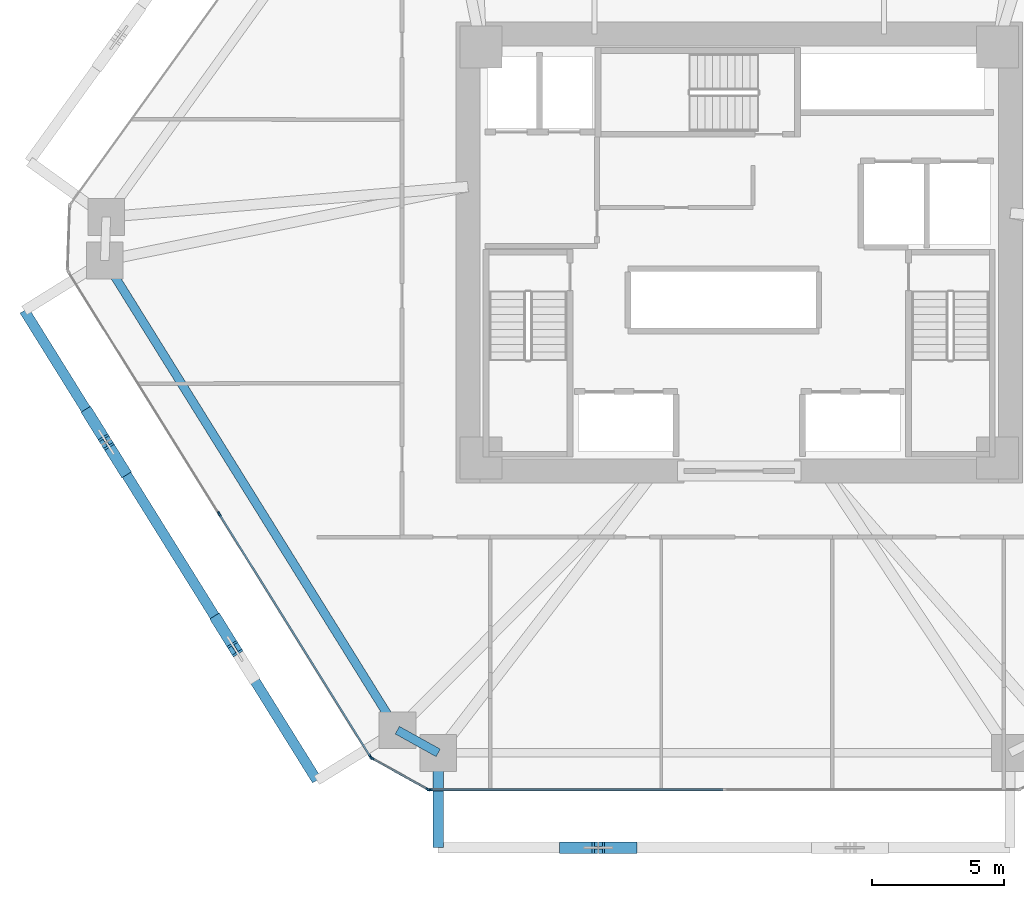
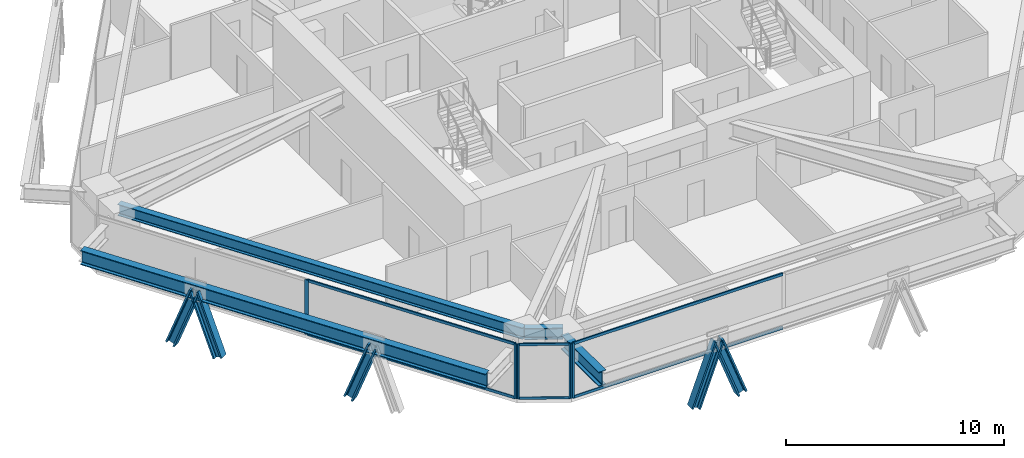
# One storey, part 2 of 17: 16 members, 4 beams, 3 elements without a shape of their own.
"""IFC4 building model written with IfcOpenShell, lengths in metres."""

from ifc_helpers import new_model, si_unit, direction, frame, origin, origin_2d, place, context, subcontext, project, spatial, rectangle, i_section, extrude, source, transform, mapped, material, layer, layer_set, material_profile, profile_set, type_object, type_shapes, element, aggregate, save


model = new_model("IFC4")

# Units and contexts
model_context = context("Model", 3, precision=1e-05, world=origin(), true_north=direction((0.0, 1.0)))
body_context = subcontext(model_context, "Body", "Model", "MODEL_VIEW")
ifc_project = project(units=[si_unit("LENGTHUNIT", "METRE"), si_unit("AREAUNIT", "SQUARE_METRE"), si_unit("VOLUMEUNIT", "CUBIC_METRE"), si_unit("PLANEANGLEUNIT", "RADIAN"), si_unit("MASSUNIT", "GRAM", prefix="KILO")], contexts=[model_context])

# Site, building, storey
site_placement = place(None, origin())
site = spatial("IfcSite", under=ifc_project, at=site_placement, CompositionType="ELEMENT")
building_placement = place(site_placement, origin())
building = spatial("IfcBuilding", under=site, at=building_placement, Name="Durnholm Broadcast Tower", CompositionType="ELEMENT")
storey_placement = place(building_placement, frame((0.0, 0.0, 45.60009765625)))
storey = spatial("IfcBuildingStorey", under=building, at=storey_placement, Name="L10", CompositionType="ELEMENT", Elevation=45.60009765625)

# Beams
ifc_material_1 = material(Name="Steel ASTM A992 Grade 50", Category="steel")
ifc_material_profile_1 = material_profile(ifc_material_1, i_section(OverallWidth=0.3291015625, OverallDepth=0.635009765625, WebThickness=0.017822265625, FlangeThickness=0.031005859375, FilletRadius=0.02783203125, at=origin_2d()), Name="W24X162")
ifc_profile_set_1 = profile_set([ifc_material_profile_1], Name="Steel ASTM A992 Grade 50")
beam_type_1 = type_object("IfcBeamType", Name="STL-SP-W24X162", PredefinedType="SPANDREL", material=ifc_profile_set_1)
shared_shape_1 = source(origin(), body_context, "Body", "SweptSolid", [
    extrude(i_section(OverallWidth=0.3291015625, OverallDepth=0.635009765625, WebThickness=0.017822265625, FlangeThickness=0.031005859375, FilletRadius=0.02783203125, at=origin_2d()), origin(), (0.0, 0.0, 1.0), 21.014404296875),
])
beam_1_placement = place(storey_placement, frame((-12.982666015625, -18.138427734375, 2.727294921875), z_axis=(-0.528595731543, 0.848873696491, 0.0), x_axis=(-0.848873696491, -0.528595731543, 0.0)))
element("IfcBeam", 1, at=beam_1_placement, inside=storey, type_object=beam_type_1, Name="L10 perimeter spandrel girder 01", PredefinedType="SPANDREL", context=body_context, shape_type="MappedRepresentation", body=[
    mapped(shared_shape_1, transform((0.0, 0.0, 0.0), x_axis=(1.0, 0.0, 0.0), y_axis=(0.0, 1.0, 0.0), z_axis=(0.0, 0.0, 1.0), scale=1.0)),
])
shared_shape_2 = source(origin(), body_context, "Body", "SweptSolid", [
    extrude(i_section(OverallWidth=0.3291015625, OverallDepth=0.635009765625, WebThickness=0.017822265625, FlangeThickness=0.031005859375, FilletRadius=0.02783203125, at=origin_2d()), origin(), (0.0, 0.0, 1.0), 1.774658203125),
])
type_shapes(beam_type_1, [shared_shape_1, shared_shape_2])
beam_2_placement = place(storey_placement, frame((-11.43115234375, -19.0, 2.727294921875), z_axis=(-0.874248107979, 0.485479397806, 0.0), x_axis=(-0.485479397806, -0.874248107979, 0.0)))
element("IfcBeam", 2, at=beam_2_placement, inside=storey, type_object=beam_type_1, Name="L10 perimeter spandrel girder 12", PredefinedType="SPANDREL", context=body_context, shape_type="MappedRepresentation", body=[
    mapped(shared_shape_2, transform((0.0, 0.0, 0.0), x_axis=(1.0, 0.0, 0.0), y_axis=(0.0, 1.0, 0.0), z_axis=(0.0, 0.0, 1.0), scale=1.0)),
])
ifc_material_profile_2 = material_profile(ifc_material_1, i_section(OverallWidth=0.385009765625, OverallDepth=0.802978515625, WebThickness=0.023681640625, FlangeThickness=0.0419921875, FilletRadius=0.032958984375, at=origin_2d()), Name="W30X261")
ifc_profile_set_2 = profile_set([ifc_material_profile_2], Name="Steel ASTM A992 Grade 50")
beam_type_2 = type_object("IfcBeamType", Name="BM-EXO-TIE", PredefinedType="USERDEFINED", material=ifc_profile_set_2)
shared_shape_3 = source(origin(), body_context, "Body", "SweptSolid", [
    extrude(i_section(OverallWidth=0.385009765625, OverallDepth=0.802978515625, WebThickness=0.023681640625, FlangeThickness=0.0419921875, FilletRadius=0.032958984375, at=origin_2d()), origin(), (0.0, 0.0, 1.0), 3.4560546875),
])
beam_3_placement = place(storey_placement, frame((-11.43115234375, -19.14404296875, 2.308349609375), z_axis=(0.0, -1.0, 0.0), x_axis=(1.0, 0.0, 0.0)))
element("IfcBeam", 3, at=beam_3_placement, inside=storey, type_object=beam_type_2, Name="L10 exoskeleton stand-off tie bracket F1.1", ObjectType="GIRDER", PredefinedType="USERDEFINED", context=body_context, shape_type="MappedRepresentation", body=[
    mapped(shared_shape_3, transform((0.0, 0.0, 0.0), x_axis=(1.0, 0.0, 0.0), y_axis=(0.0, 1.0, 0.0), z_axis=(0.0, 0.0, 1.0), scale=1.0)),
])
shared_shape_4 = source(origin(), body_context, "Body", "SweptSolid", [
    extrude(i_section(OverallWidth=0.385009765625, OverallDepth=0.802978515625, WebThickness=0.023681640625, FlangeThickness=0.0419921875, FilletRadius=0.032958984375, at=origin_2d()), origin(), (0.0, 0.0, 1.0), 21.0146484375),
])
type_shapes(beam_type_2, [shared_shape_3, shared_shape_4])
beam_4_placement = place(storey_placement, frame((-27.146728515625, -2.20263671875, 2.308349609375), z_axis=(0.528590518575, -0.848876942597, 0.0), x_axis=(0.848876942597, 0.528590518575, 0.0)))
element("IfcBeam", 4, at=beam_4_placement, inside=storey, type_object=beam_type_2, Name="L10 exoskeleton collector spandrel F6", PredefinedType="SPANDREL", context=body_context, shape_type="MappedRepresentation", body=[
    mapped(shared_shape_4, transform((0.0, 0.0, 0.0), x_axis=(1.0, 0.0, 0.0), y_axis=(0.0, 1.0, 0.0), z_axis=(0.0, 0.0, 1.0), scale=1.0)),
])

# Members
ifc_material_2 = material(Name="Steel ASTM A913 Grade 65", Category="steel")
ifc_material_profile_3 = material_profile(ifc_material_2, i_section(OverallWidth=0.43212890625, OverallDepth=0.497802734375, WebThickness=0.0556640625, FlangeThickness=0.0888671875, FilletRadius=0.030517578125, at=origin_2d()), Name="W14X500")
ifc_profile_set_3 = profile_set([ifc_material_profile_3], Name="Steel ASTM A913 Grade 65")
member_type_1 = type_object("IfcMemberType", Name="STL-DG-W14X500", PredefinedType="BRACE", material=ifc_profile_set_3)
shared_shape_5 = source(origin(), body_context, "Body", "SweptSolid", [
    extrude(i_section(OverallWidth=0.43212890625, OverallDepth=0.497802734375, WebThickness=0.0556640625, FlangeThickness=0.0888671875, FilletRadius=0.030517578125, at=origin_2d()), origin(), (0.0, 0.0, 1.0), 3.52294921875),
])
type_shapes(member_type_1, [shared_shape_5])
for number, where, z_axis, x_axis, name in (
    (5, (-6.585205078125, -22.60009765625, -0.991455078125), (0.350242321485, 0.0, 0.93665912489), (0.0, 1.0, 0.0), "L10 stand-off diagrid brace F1.D1.1"),
    (6, (-4.117431640625, -22.60009765625, -0.991455078125), (-0.350242321485, 0.0, 0.93665912489), (0.0, -1.0, 0.0), "L10 stand-off diagrid brace F1.D1.2"),
    (7, (-24.688720703125, -6.150146484375, -0.991455078125), (0.185169322747, -0.29729655486, 0.936657397548), (0.848819847179, 0.528682198523, 0.0), "L10 stand-off diagrid brace F6.D1.1"),
    (8, (-23.38427734375, -8.244873046875, -0.991455078125), (-0.185102397695, 0.297300369192, 0.936669414919), (-0.848908635391, -0.528539618911, 0.0), "L10 stand-off diagrid brace F6.D1.2"),
    (9, (-19.801025390625, -13.9990234375, -0.991455078125), (0.185102397695, -0.297300369192, 0.936669414919), (0.848908635391, 0.528539618911, 0.0), "L10 stand-off diagrid brace F6.D2.1"),
):
    element("IfcMember", number, at=place(storey_placement, frame(where, z_axis=z_axis, x_axis=x_axis)), inside=storey, type_object=member_type_1, Name=name, PredefinedType="BRACE", context=body_context, shape_type="MappedRepresentation", body=[
        mapped(shared_shape_5, transform((0.0, 0.0, 0.0), x_axis=(1.0, 0.0, 0.0), y_axis=(0.0, 1.0, 0.0), z_axis=(0.0, 0.0, 1.0), scale=1.0)),
    ])

# Curtain wall, members
ifc_material_3 = material(Name="Aluminium and Solar Control IGU", Category="aluminium")
ifc_layer_1 = layer(ifc_material_3, 0.1650390625)
ifc_layer_set_1 = layer_set([ifc_layer_1], Name="Aluminium and Solar Control IGU")
curtain_wall_type_1 = type_object("IfcCurtainWallType", Name="CW-SYS-5", PredefinedType="NOTDEFINED", material=ifc_layer_set_1)
curtain_wall_1_placement = place(storey_placement, origin())
curtain_wall_1 = element("IfcCurtainWall", 10, at=curtain_wall_1_placement, inside=storey, type_object=curtain_wall_type_1, Name="L10 curtain wall CW-CORNER CW-L10-CRN-11", PredefinedType="NOTDEFINED")
ifc_material_4 = material(Name="Aluminium 6063-T6", Category="aluminium")
ifc_material_profile_4 = material_profile(ifc_material_4, rectangle(XDim=0.06494140625, YDim=0.1298828125, at=origin_2d()), Name="CWT65X130")
ifc_profile_set_4 = profile_set([ifc_material_profile_4], Name="Aluminium 6063-T6")
member_type_2 = type_object("IfcMemberType", Name="CW-SYS-5-TRN", PredefinedType="USERDEFINED", material=ifc_profile_set_4)
shared_shape_6 = source(origin(), body_context, "Body", "SweptSolid", [
    extrude(rectangle(XDim=0.06494140625, YDim=0.1298828125, at=origin_2d()), origin(), (0.0, 0.0, 1.0), 2.3701171875),
])
type_shapes(member_type_2, [shared_shape_6])
member_1_placement = place(storey_placement, frame((-11.8505859375, -20.368408203125, 0.032470703125), z_axis=(-0.874244723151, 0.485485493132, 0.0), x_axis=(-0.485485493132, -0.874244723151, 0.0)))
member_1 = element("IfcMember", 11, at=member_1_placement, type_object=member_type_2, Name="CW-CORNER transom 1.1", ObjectType="TRANSOM", PredefinedType="USERDEFINED", context=body_context, shape_type="MappedRepresentation", body=[
    mapped(shared_shape_6, transform((0.0, 0.0, 0.0), x_axis=(1.0, 0.0, 0.0), y_axis=(0.0, 1.0, 0.0), z_axis=(0.0, 0.0, 1.0), scale=1.0)),
])
member_2_placement = place(storey_placement, frame((-11.8505859375, -20.368408203125, 3.02734375), z_axis=(-0.874244723151, 0.485485493132, 0.0), x_axis=(-0.485485493132, -0.874244723151, 0.0)))
member_2 = element("IfcMember", 12, at=member_2_placement, type_object=member_type_2, Name="CW-CORNER transom 1.2", ObjectType="TRANSOM", PredefinedType="USERDEFINED", context=body_context, shape_type="MappedRepresentation", body=[
    mapped(shared_shape_6, transform((0.0, 0.0, 0.0), x_axis=(1.0, 0.0, 0.0), y_axis=(0.0, 1.0, 0.0), z_axis=(0.0, 0.0, 1.0), scale=1.0)),
])

ifc_layer_2 = layer(ifc_material_3, 0.18994140625)
ifc_layer_set_2 = layer_set([ifc_layer_2], Name="Aluminium and Solar Control IGU")
curtain_wall_type_2 = type_object("IfcCurtainWallType", Name="CW-SYS-3", PredefinedType="NOTDEFINED", material=ifc_layer_set_2)
curtain_wall_2_placement = place(storey_placement, origin())
curtain_wall_2 = element("IfcCurtainWall", 13, at=curtain_wall_2_placement, inside=storey, type_object=curtain_wall_type_2, Name="L10 curtain wall CW-Z12-VIS CW-L10-F12", PredefinedType="NOTDEFINED")
ifc_material_profile_5 = material_profile(ifc_material_4, rectangle(XDim=0.070068359375, YDim=0.14990234375, at=origin_2d()), Name="CWT70X150")
ifc_profile_set_5 = profile_set([ifc_material_profile_5], Name="Aluminium 6063-T6")
member_type_3 = type_object("IfcMemberType", Name="CW-SYS-3-TRN", PredefinedType="USERDEFINED", material=ifc_profile_set_5)
shared_shape_7 = source(origin(), body_context, "Body", "SweptSolid", [
    extrude(rectangle(XDim=0.070068359375, YDim=0.14990234375, at=origin_2d()), origin(), (0.0, 0.0, 1.0), 10.796630859375),
])
member_3_placement = place(storey_placement, frame((-14.016357421875, -19.126953125, 0.034912109375), z_axis=(-0.528591657678, 0.848876233283, 0.0), x_axis=(-0.848876233283, -0.528591657678, 0.0)))
member_3 = element("IfcMember", 14, at=member_3_placement, type_object=member_type_3, Name="CW-Z12-VIS transom 1.1", ObjectType="TRANSOM", PredefinedType="USERDEFINED", context=body_context, shape_type="MappedRepresentation", body=[
    mapped(shared_shape_7, transform((0.0, 0.0, 0.0), x_axis=(1.0, 0.0, 0.0), y_axis=(0.0, 1.0, 0.0), z_axis=(0.0, 0.0, 1.0), scale=1.0)),
])
member_4_placement = place(storey_placement, frame((-14.016357421875, -19.126953125, 3.02490234375), z_axis=(-0.528591657678, 0.848876233283, 0.0), x_axis=(-0.848876233283, -0.528591657678, 0.0)))
member_4 = element("IfcMember", 15, at=member_4_placement, type_object=member_type_3, Name="CW-Z12-VIS transom 1.2", ObjectType="TRANSOM", PredefinedType="USERDEFINED", context=body_context, shape_type="MappedRepresentation", body=[
    mapped(shared_shape_7, transform((0.0, 0.0, 0.0), x_axis=(1.0, 0.0, 0.0), y_axis=(0.0, 1.0, 0.0), z_axis=(0.0, 0.0, 1.0), scale=1.0)),
])

curtain_wall_3_placement = place(storey_placement, origin())
curtain_wall_3 = element("IfcCurtainWall", 16, at=curtain_wall_3_placement, inside=storey, type_object=curtain_wall_type_2, Name="L10 curtain wall CW-Z12-VIS CW-L10-F10", PredefinedType="NOTDEFINED")
shared_shape_8 = source(origin(), body_context, "Body", "SweptSolid", [
    extrude(rectangle(XDim=0.070068359375, YDim=0.14990234375, at=origin_2d()), origin(), (0.0, 0.0, 1.0), 11.10205078125),
])
type_shapes(member_type_3, [shared_shape_7, shared_shape_8])
member_5_placement = place(storey_placement, frame((-0.621826171875, -20.39990234375, 0.034912109375), z_axis=(-1.0, 0.0, 0.0), x_axis=(0.0, -1.0, 0.0)))
member_5 = element("IfcMember", 17, at=member_5_placement, type_object=member_type_3, Name="CW-Z12-VIS transom 2.1", ObjectType="TRANSOM", PredefinedType="USERDEFINED", context=body_context, shape_type="MappedRepresentation", body=[
    mapped(shared_shape_8, transform((0.0, 0.0, 0.0), x_axis=(1.0, 0.0, 0.0), y_axis=(0.0, 1.0, 0.0), z_axis=(0.0, 0.0, 1.0), scale=1.0)),
])
member_6_placement = place(storey_placement, frame((-0.621826171875, -20.39990234375, 3.02490234375), z_axis=(-1.0, 0.0, 0.0), x_axis=(0.0, -1.0, 0.0)))
member_6 = element("IfcMember", 18, at=member_6_placement, type_object=member_type_3, Name="CW-Z12-VIS transom 2.2", ObjectType="TRANSOM", PredefinedType="USERDEFINED", context=body_context, shape_type="MappedRepresentation", body=[
    mapped(shared_shape_8, transform((0.0, 0.0, 0.0), x_axis=(1.0, 0.0, 0.0), y_axis=(0.0, 1.0, 0.0), z_axis=(0.0, 0.0, 1.0), scale=1.0)),
])

# Member
ifc_material_profile_6 = material_profile(ifc_material_4, rectangle(XDim=0.06494140625, YDim=0.1650390625, at=origin_2d()), Name="CWM65X165")
ifc_profile_set_6 = profile_set([ifc_material_profile_6], Name="Aluminium 6063-T6")
member_type_4 = type_object("IfcMemberType", Name="CW-SYS-5-MUL", PredefinedType="MULLION", material=ifc_profile_set_6)
shared_shape_9 = source(origin(), body_context, "Body", "SweptSolid", [
    extrude(rectangle(XDim=0.06494140625, YDim=0.1650390625, at=origin_2d()), origin(), (0.0, 0.0, 1.0), 3.059814453125),
])
type_shapes(member_type_4, [shared_shape_9])
member_7_placement = place(storey_placement, frame((-11.822265625, -20.38427734375, 0.0), z_axis=(0.0, 0.0, 1.0), x_axis=(-0.485483299359, -0.874245941394, 0.0)))
member_7 = element("IfcMember", 19, at=member_7_placement, type_object=member_type_4, Name="CW-CORNER mullion 1", PredefinedType="MULLION", context=body_context, shape_type="MappedRepresentation", body=[
    mapped(shared_shape_9, transform((0.0, 0.0, 0.0), x_axis=(1.0, 0.0, 0.0), y_axis=(0.0, 1.0, 0.0), z_axis=(0.0, 0.0, 1.0), scale=1.0)),
])

member_8_placement = place(storey_placement, frame((-13.950927734375, -19.2021484375, 0.0), z_axis=(0.0, 0.0, 1.0), x_axis=(-0.485483299359, -0.874245941394, 0.0)))
member_8 = element("IfcMember", 20, at=member_8_placement, type_object=member_type_4, Name="CW-CORNER mullion 2", PredefinedType="MULLION", context=body_context, shape_type="MappedRepresentation", body=[
    mapped(shared_shape_9, transform((0.0, 0.0, 0.0), x_axis=(1.0, 0.0, 0.0), y_axis=(0.0, 1.0, 0.0), z_axis=(0.0, 0.0, 1.0), scale=1.0)),
])

aggregate(curtain_wall_1, [member_7, member_8, member_1, member_2])

ifc_material_profile_7 = material_profile(ifc_material_4, rectangle(XDim=0.070068359375, YDim=0.18994140625, at=origin_2d()), Name="CWM70X190")
ifc_profile_set_7 = profile_set([ifc_material_profile_7], Name="Aluminium 6063-T6")
member_type_5 = type_object("IfcMemberType", Name="CW-SYS-3-MUL", PredefinedType="MULLION", material=ifc_profile_set_7)
shared_shape_10 = source(origin(), body_context, "Body", "SweptSolid", [
    extrude(rectangle(XDim=0.070068359375, YDim=0.18994140625, at=origin_2d()), origin(), (0.0, 0.0, 1.0), 3.059814453125),
])
type_shapes(member_type_5, [shared_shape_10])
member_9_placement = place(storey_placement, frame((-11.7587890625, -20.39990234375, 0.0), z_axis=(0.0, 0.0, 1.0), x_axis=(0.0, -1.0, 0.0)))
member_9 = element("IfcMember", 21, at=member_9_placement, type_object=member_type_5, Name="CW-Z12-VIS mullion 3", PredefinedType="MULLION", context=body_context, shape_type="MappedRepresentation", body=[
    mapped(shared_shape_10, transform((0.0, 0.0, 0.0), x_axis=(1.0, 0.0, 0.0), y_axis=(0.0, 1.0, 0.0), z_axis=(0.0, 0.0, 1.0), scale=1.0)),
])

aggregate(curtain_wall_3, [member_9, member_5, member_6])

member_10_placement = place(storey_placement, frame((-13.997802734375, -19.156494140625, 0.0), z_axis=(0.0, 0.0, 1.0), x_axis=(-0.848875785503, -0.528592376777, 0.0)))
member_10 = element("IfcMember", 22, at=member_10_placement, type_object=member_type_5, Name="CW-Z12-VIS mullion 1", PredefinedType="MULLION", context=body_context, shape_type="MappedRepresentation", body=[
    mapped(shared_shape_10, transform((0.0, 0.0, 0.0), x_axis=(1.0, 0.0, 0.0), y_axis=(0.0, 1.0, 0.0), z_axis=(0.0, 0.0, 1.0), scale=1.0)),
])

member_11_placement = place(storey_placement, frame((-19.741943359375, -9.93212890625, 0.0), z_axis=(0.0, 0.0, 1.0), x_axis=(-0.848875785503, -0.528592376777, 0.0)))
member_11 = element("IfcMember", 23, at=member_11_placement, type_object=member_type_5, Name="CW-Z12-VIS mullion 2", PredefinedType="MULLION", context=body_context, shape_type="MappedRepresentation", body=[
    mapped(shared_shape_10, transform((0.0, 0.0, 0.0), x_axis=(1.0, 0.0, 0.0), y_axis=(0.0, 1.0, 0.0), z_axis=(0.0, 0.0, 1.0), scale=1.0)),
])

aggregate(curtain_wall_2, [member_10, member_11, member_3, member_4])

save(model, "model.ifc")
